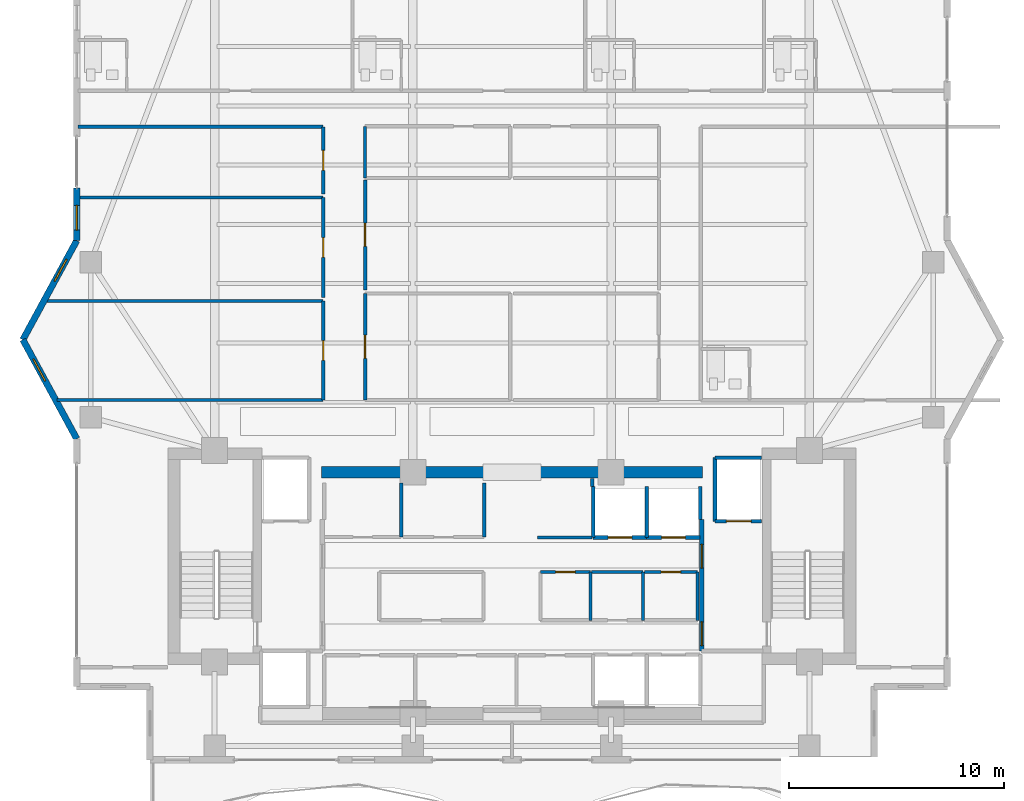
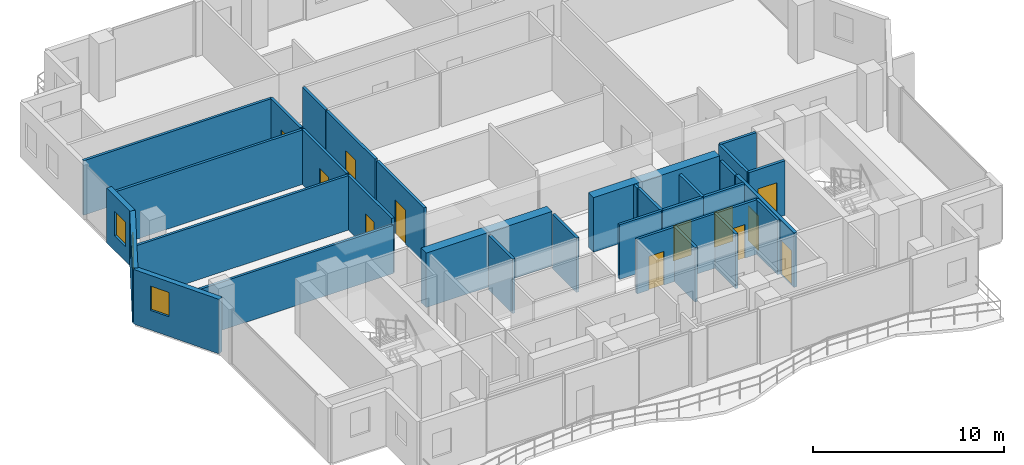
# One storey, part 18 of 24: 34 walls, 12 doors, 3 windows, 15 openings.
"""IFC4 building model written with IfcOpenShell, lengths in metres."""

import ifcopenshell
import ifcopenshell.guid

model = None  # the IFC model being written
_history = None  # IfcOwnerHistory: only IFC2X3 demands one
_inside = {}  # id of a spatial element -> (the spatial element, [elements in it])
_under = {}  # id of a project, library or spatial element -> (it, [spatial elements below it])
_declared = {}  # id of a project -> (the project, [libraries it declares])
_typed = {}  # id of a type object -> (the type object, [elements of that type])
_made_of = {}  # id of a material, layer set ... -> (it, [elements and type objects made of it])


def new_model(schema):
    """Start an empty IFC model of exactly this schema.

    Asked for "IFC4X3", IfcOpenShell would pick the latest addendum, in which some entities
    have other attributes; the version numbers below select the first issue.
    IFC2X3 requires an IfcOwnerHistory on every rooted entity: one is made here for all.
    """
    global model, _history
    if schema == "IFC4X3":
        model = ifcopenshell.file(schema_version=(4, 3, 0, 0))
    else:
        model = ifcopenshell.file(schema=schema)
    _inside.clear()
    _under.clear()
    _declared.clear()
    _typed.clear()
    _made_of.clear()
    _history = None
    if model.schema == "IFC2X3":
        org = make("IfcOrganization", Name="unknown")
        user = make(
            "IfcPersonAndOrganization",
            ThePerson=make("IfcPerson", FamilyName="unknown"),
            TheOrganization=org,
        )
        app = make(
            "IfcApplication",
            ApplicationDeveloper=org,
            Version="unknown",
            ApplicationFullName="unknown",
            ApplicationIdentifier="unknown",
        )
        _history = make(
            "IfcOwnerHistory",
            OwningUser=user,
            OwningApplication=app,
            ChangeAction="ADDED",
            CreationDate=0,
        )
    return model


def make(cls, **values):
    """One entity of the class cls with the attributes given. An attribute that is None is left unset."""
    return model.create_entity(
        cls, **{name: value for name, value in values.items() if value is not None}
    )


def rooted(cls, **values):
    """An entity with a GlobalId (a new one), such as an element, a storey or a relation."""
    return make(cls, GlobalId=ifcopenshell.guid.new(), OwnerHistory=_history, **values)


def si_unit(unit_type, name, prefix=None):
    """IfcSIUnit, for example si_unit("LENGTHUNIT", "METRE", prefix="MILLI")."""
    return make("IfcSIUnit", UnitType=unit_type, Prefix=prefix, Name=name)


def assignment(units):
    """IfcUnitAssignment: the units of a project."""
    return None if units is None else make("IfcUnitAssignment", Units=units)


def point(xyz):
    """IfcCartesianPoint."""
    return None if xyz is None else make("IfcCartesianPoint", Coordinates=xyz)


def direction(xyz):
    """IfcDirection."""
    return None if xyz is None else make("IfcDirection", DirectionRatios=xyz)


def frame(location, z_axis=None, x_axis=None):
    """IfcAxis2Placement3D, a coordinate frame: its origin and axes. An axis left out is left unset."""
    return make(
        "IfcAxis2Placement3D",
        Location=point(location),
        Axis=direction(z_axis),
        RefDirection=direction(x_axis),
    )


def frame_2d(location, x_axis=None):
    """IfcAxis2Placement2D, a coordinate frame in the plane: its origin and x axis."""
    return make(
        "IfcAxis2Placement2D", Location=point(location), RefDirection=direction(x_axis)
    )


def origin():
    """The frame at (0, 0, 0) with its axes left unset."""
    return frame((0.0, 0.0, 0.0))


def place(relative_to, where):
    """IfcLocalPlacement: puts the frame where relative to a parent placement (None: the world)."""
    return make(
        "IfcLocalPlacement", PlacementRelTo=relative_to, RelativePlacement=where
    )


def context(
    kind, dimensions, precision=None, world=None, true_north=None, identifier=None
):
    """IfcGeometricRepresentationContext, for example the 3D "Model" context."""
    return make(
        "IfcGeometricRepresentationContext",
        ContextIdentifier=identifier,
        ContextType=kind,
        CoordinateSpaceDimension=dimensions,
        Precision=precision,
        WorldCoordinateSystem=world,
        TrueNorth=true_north,
    )


def subcontext(parent, identifier, kind, view, scale=None):
    """IfcGeometricRepresentationSubContext, for example "Body" below "Model"."""
    return make(
        "IfcGeometricRepresentationSubContext",
        ContextIdentifier=identifier,
        ContextType=kind,
        ParentContext=parent,
        TargetScale=scale,
        TargetView=view,
    )


def project(units=None, contexts=None):
    """IfcProject with its units and contexts."""
    return rooted(
        "IfcProject",
        Name="project",
        RepresentationContexts=contexts,
        UnitsInContext=assignment(units),
    )


def spatial(cls, under=None, at=None, **own):
    """A site, building, storey or space (cls), placed at a placement, below another one or the project."""
    s = rooted(cls, ObjectPlacement=at, **own)
    if under is not None:
        _under.setdefault(under.id(), (under, []))[1].append(s)
    return s


def profile(cls, at=None, kind="AREA", **sizes):
    """A parametric profile (cls). Its sizes go by their IFC names, for example OverallWidth=200.0."""
    return make(cls, ProfileType=kind, Position=at, **sizes)


def rectangle(**sizes):
    """IfcRectangleProfileDef."""
    return profile("IfcRectangleProfileDef", **sizes)


def extrude(swept, where, along, depth):
    """IfcExtrudedAreaSolid: the profile swept, set in the frame where, extruded along a direction by depth."""
    return make(
        "IfcExtrudedAreaSolid",
        SweptArea=swept,
        Position=where,
        ExtrudedDirection=direction(along),
        Depth=depth,
    )


def shape(context_of_items, identifier, shape_type, items):
    """IfcShapeRepresentation: the items that make up one representation, for example the "Body"."""
    return make(
        "IfcShapeRepresentation",
        ContextOfItems=context_of_items,
        RepresentationIdentifier=identifier,
        RepresentationType=shape_type,
        Items=items,
    )


def material(Name=None, Category=None):
    """IfcMaterial."""
    return make("IfcMaterial", Name=Name, Category=Category)


def layer(
    of_material, thickness, ventilated=None, Name=None, Category=None, Priority=None
):
    """IfcMaterialLayer: one layer of a wall or slab, of a material (None: an air gap)."""
    return make(
        "IfcMaterialLayer",
        Material=of_material,
        LayerThickness=thickness,
        IsVentilated=ventilated,
        Name=Name,
        Category=Category,
        Priority=Priority,
    )


def layer_set(layers, Name=None):
    """IfcMaterialLayerSet."""
    return make("IfcMaterialLayerSet", MaterialLayers=layers, LayerSetName=Name)


def made_of(thing, what):
    """Note that an element or type object is made of a material, layer set ...; save() writes the relation."""
    if what is not None:
        _made_of.setdefault(what.id(), (what, []))[1].append(thing)
    return thing


def type_object(cls, material=None, **own):
    """A type object (cls), such as IfcWallType, which elements share."""
    return made_of(rooted(cls, **own), material)


def element(
    cls,
    number,
    at=None,
    inside=None,
    cuts=None,
    type_object=None,
    material=None,
    context=None,
    identifier="Body",
    shape_type=None,
    held_by="IfcProductDefinitionShape",
    body=None,
    shapes=None,
    **own,
):
    """One element of the class cls, such as IfcWall. Its Tag is "e" and its number.

    at: its placement. inside: the storey or other place that contains it. cuts: it is an
    opening in that element (IfcRelVoidsElement). A single representation is given by context,
    identifier, shape_type and body (its items); several are given by shapes. held_by: the class
    of the entity that holds the representations. save() writes the other relations.
    """
    e = rooted(cls, Tag="e%d" % number, ObjectPlacement=at, **own)
    if body is not None:
        shapes = [shape(context, identifier, shape_type, body)]
    if shapes is not None:
        e.Representation = make(held_by, Representations=shapes)
    if inside is not None:
        _inside.setdefault(inside.id(), (inside, []))[1].append(e)
    if cuts is not None:
        rooted(
            "IfcRelVoidsElement", RelatingBuildingElement=cuts, RelatedOpeningElement=e
        )
    if type_object is not None:
        _typed.setdefault(type_object.id(), (type_object, []))[1].append(e)
    return made_of(e, material)


def fill(opening, filler):
    """IfcRelFillsElement: the door or window that sits in an opening."""
    return rooted(
        "IfcRelFillsElement",
        RelatingOpeningElement=opening,
        RelatedBuildingElement=filler,
    )


def aggregate(whole, parts):
    """IfcRelAggregates: a whole, such as a stair, and the parts it consists of."""
    return rooted("IfcRelAggregates", RelatingObject=whole, RelatedObjects=parts)


def save(model, path):
    """Write the relations noted so far, then the file.

    IfcRelAggregates (storeys below a building ...), IfcRelContainedInSpatialStructure (elements
    in a storey), IfcRelDefinesByType, IfcRelAssociatesMaterial and IfcRelDeclares: one each for
    every whole, place, type object, material and project.
    """
    for whole, parts in _under.values():
        aggregate(whole, parts)
    for where, things in _inside.values():
        rooted(
            "IfcRelContainedInSpatialStructure",
            RelatedElements=things,
            RelatingStructure=where,
        )
    for kind, things in _typed.values():
        rooted("IfcRelDefinesByType", RelatedObjects=things, RelatingType=kind)
    for what, things in _made_of.values():
        rooted("IfcRelAssociatesMaterial", RelatedObjects=things, RelatingMaterial=what)
    for by, libraries in _declared.values():
        rooted("IfcRelDeclares", RelatingContext=by, RelatedDefinitions=libraries)
    model.write(path)


model = new_model("IFC4")

# Units and contexts
model_context = context("Model", 3, precision=1e-05, world=origin(), true_north=direction((0.0, 1.0)))
body_context = subcontext(model_context, "Body", "Model", "MODEL_VIEW")
ifc_project = project(units=[si_unit("LENGTHUNIT", "METRE"), si_unit("AREAUNIT", "SQUARE_METRE"), si_unit("VOLUMEUNIT", "CUBIC_METRE"), si_unit("PLANEANGLEUNIT", "RADIAN"), si_unit("MASSUNIT", "GRAM", prefix="KILO")], contexts=[model_context])

# Site, building, storey
site_placement = place(None, origin())
site = spatial("IfcSite", under=ifc_project, at=site_placement, CompositionType="ELEMENT")
building_placement = place(site_placement, origin())
building = spatial("IfcBuilding", under=site, at=building_placement, Name="Zuhayl Quay Hotel", CompositionType="ELEMENT")
storey_placement = place(building_placement, frame((0.0, 0.0, 269.25)))
storey = spatial("IfcBuildingStorey", under=building, at=storey_placement, Name="L68", CompositionType="ELEMENT", Elevation=269.25)

# Walls
ifc_material_1 = material(Name="Concrete C50/60", Category="concrete")
ifc_layer_1 = layer(ifc_material_1, 0.550048828125, Name="Concrete C50/60", Category="concrete")
ifc_layer_set_1 = layer_set([ifc_layer_1], Name="Concrete C50/60")
wall_type_1 = type_object("IfcWallType", Name="WL_CORE_550", PredefinedType="SHEAR", material=ifc_layer_set_1)
for number, where, z_axis, x_axis, name in (
    (1, (-8.85009765625, 13.35009765625, 0.0), (0.0, 0.0, 1.0), (1.0, 0.0, 0.0), "L68 Core Shear Wall CW_NC_W"),
    (2, (1.25, 13.35009765625, 0.0), (0.0, 0.0, 1.0), (1.0, 0.0, 0.0), "L68 Core Shear Wall CW_NC_E"),
):
    element("IfcWall", number, at=place(storey_placement, frame(where, z_axis=z_axis, x_axis=x_axis)), inside=storey, type_object=wall_type_1, Name=name, PredefinedType="SHEAR", context=body_context, shape_type="SweptSolid", body=[
        extrude(rectangle(XDim=7.60009765625, YDim=0.550048828125, at=frame_2d((3.800048828125, 0.0))), origin(), (0.0, 0.0, 1.0), 3.47998046875),
    ])

# Wall, opening, window
ifc_material_2 = material(Name="Precast concrete C45/55", Category="concrete")
ifc_layer_2 = layer(ifc_material_2, 0.300048828125, Name="Precast concrete C45/55", Category="concrete")
ifc_layer_set_2 = layer_set([ifc_layer_2], Name="Precast concrete C45/55")
wall_type_2 = type_object("IfcWallType", Name="WL_EXT_300", PredefinedType="STANDARD", material=ifc_layer_set_2)
wall_1_placement = place(storey_placement, frame((-20.199951171875, 14.89990234375, 0.0), z_axis=(0.0, 0.0, 1.0), x_axis=(-0.477505494629, 0.878628762675, 0.0)))
wall_1 = element("IfcWall", 3, at=wall_1_placement, inside=storey, type_object=wall_type_2, Name="L68 Exterior Precast Wall ENV_L68_EW03", PredefinedType="STANDARD", context=body_context, shape_type="SweptSolid", body=[
    extrude(rectangle(XDim=5.235595703125, YDim=0.300048828125, at=frame_2d((2.61767578125, 0.0))), origin(), (0.0, 0.0, 1.0), 3.47998046875),
])
opening_1_placement = place(wall_1_placement, frame((3.062744140625, 0.0, 1.25)))
opening_1 = element("IfcOpeningElement", 4, at=opening_1_placement, cuts=wall_1, Name="Opening W01N", PredefinedType="OPENING", context=body_context, shape_type="SweptSolid", body=[
    extrude(rectangle(XDim=1.14990234375, YDim=1.550048828125, at=frame_2d((0.574951171875, 0.77490234375))), frame((0.0, 0.159912109375, 0.0), z_axis=(0.0, -1.0, 0.0), x_axis=(1.0, 0.0, 0.0)), (0.0, 0.0, 1.0), 0.320068359375),
])
ifc_material_3 = material(Name="Dark Ceramic-Fritted Solar Glass", Category="glass")
window_type = type_object("IfcWindowType", Name="WN_NOTCH_1350", PartitioningType="SINGLE_PANEL", PredefinedType="WINDOW", material=ifc_material_3)
window_1_placement = place(opening_1_placement, origin())
window_1 = element("IfcWindow", 5, at=window_1_placement, inside=storey, type_object=window_type, Name="L68 Corner Notch Window 3", OverallHeight=1.550048828125, OverallWidth=1.14990234375, PartitioningType="SINGLE_PANEL", PredefinedType="WINDOW", context=body_context, shape_type="SweptSolid", body=[
    extrude(rectangle(XDim=1.14990234375, YDim=1.550048828125, at=frame_2d((0.574951171875, 0.77490234375))), frame((0.0, 0.030029296875, 0.0), z_axis=(0.0, -1.0, 0.0), x_axis=(1.0, 0.0, 0.0)), (0.0, 0.0, 1.0), 0.06005859375),
])
fill(opening_1, window_1)

wall_2_placement = place(storey_placement, frame((-22.699951171875, 19.5, 0.0), z_axis=(0.0, 0.0, 1.0), x_axis=(0.477505494629, 0.878628762675, 0.0)))
wall_2 = element("IfcWall", 6, at=wall_2_placement, inside=storey, type_object=wall_type_2, Name="L68 Exterior Precast Wall ENV_L68_EW04", PredefinedType="STANDARD", context=body_context, shape_type="SweptSolid", body=[
    extrude(rectangle(XDim=5.235595703125, YDim=0.300048828125, at=frame_2d((2.61767578125, 0.0))), origin(), (0.0, 0.0, 1.0), 3.47998046875),
])
opening_2_placement = place(wall_2_placement, frame((3.09130859375, 0.0, 1.25)))
opening_2 = element("IfcOpeningElement", 7, at=opening_2_placement, cuts=wall_2, Name="Opening W01N", PredefinedType="OPENING", context=body_context, shape_type="SweptSolid", body=[
    extrude(rectangle(XDim=1.14990234375, YDim=1.550048828125, at=frame_2d((0.574951171875, 0.77490234375))), frame((0.0, 0.159912109375, 0.0), z_axis=(0.0, -1.0, 0.0), x_axis=(1.0, 0.0, 0.0)), (0.0, 0.0, 1.0), 0.320068359375),
])
window_2_placement = place(opening_2_placement, origin())
window_2 = element("IfcWindow", 8, at=window_2_placement, inside=storey, type_object=window_type, Name="L68 Corner Notch Window 4", OverallHeight=1.550048828125, OverallWidth=1.14990234375, PartitioningType="SINGLE_PANEL", PredefinedType="WINDOW", context=body_context, shape_type="SweptSolid", body=[
    extrude(rectangle(XDim=1.14990234375, YDim=1.550048828125, at=frame_2d((0.574951171875, 0.77490234375))), frame((0.0, 0.030029296875, 0.0), z_axis=(0.0, -1.0, 0.0), x_axis=(1.0, 0.0, 0.0)), (0.0, 0.0, 1.0), 0.06005859375),
])
fill(opening_2, window_2)

wall_3_placement = place(storey_placement, frame((-20.199951171875, 24.10009765625, 0.0), z_axis=(0.0, 0.0, 1.0), x_axis=(0.0, 1.0, 0.0)))
wall_3 = element("IfcWall", 9, at=wall_3_placement, inside=storey, type_object=wall_type_2, Name="L68 Exterior Precast Wall ENV_L68_E05_EW1", PredefinedType="STANDARD", context=body_context, shape_type="SweptSolid", body=[
    extrude(rectangle(XDim=2.449951171875, YDim=0.300048828125, at=frame_2d((1.22509765625, 0.0))), origin(), (0.0, 0.0, 1.0), 3.47998046875),
])
opening_3_placement = place(wall_3_placement, frame((0.485107421875, 0.0, 0.949951171875)))
opening_3 = element("IfcOpeningElement", 10, at=opening_3_placement, cuts=wall_3, Name="Opening W01N", PredefinedType="OPENING", context=body_context, shape_type="SweptSolid", body=[
    extrude(rectangle(XDim=1.14990234375, YDim=1.550048828125, at=frame_2d((0.574951171875, 0.77490234375))), frame((0.0, 0.159912109375, 0.0), z_axis=(0.0, -1.0, 0.0), x_axis=(1.0, 0.0, 0.0)), (0.0, 0.0, 1.0), 0.320068359375),
])
window_3_placement = place(opening_3_placement, origin())
window_3 = element("IfcWindow", 11, at=window_3_placement, inside=storey, type_object=window_type, Name="L68 Operable Facade Window 1-1", OverallHeight=1.550048828125, OverallWidth=1.14990234375, PartitioningType="SINGLE_PANEL", PredefinedType="WINDOW", context=body_context, shape_type="SweptSolid", body=[
    extrude(rectangle(XDim=1.14990234375, YDim=1.550048828125, at=frame_2d((0.574951171875, 0.77490234375))), frame((0.0, 0.030029296875, 0.0), z_axis=(0.0, -1.0, 0.0), x_axis=(1.0, 0.0, 0.0)), (0.0, 0.0, 1.0), 0.06005859375),
])
fill(opening_3, window_3)

# Wall, opening, door
ifc_material_4 = material(Name="Acoustic Gypsum Partition STC-58")
ifc_layer_3 = layer(ifc_material_4, 0.14990234375, Name="Acoustic Gypsum Partition STC-58")
ifc_layer_set_3 = layer_set([ifc_layer_3], Name="Acoustic Gypsum Partition STC-58")
wall_type_3 = type_object("IfcWallType", Name="WL_PART_150", PredefinedType="PARTITIONING", material=ifc_layer_set_3)
wall_4_placement = place(storey_placement, frame((1.320068359375, 8.719970703125, 0.0), z_axis=(0.0, 0.0, 1.0), x_axis=(1.0, 0.0, 0.0)))
wall_4 = element("IfcWall", 12, at=wall_4_placement, inside=storey, type_object=wall_type_3, Name="L68 Partition IW_L68_CORE_E1_N", PredefinedType="PARTITIONING", context=body_context, shape_type="SweptSolid", body=[
    extrude(rectangle(XDim=2.31982421875, YDim=0.14990234375, at=frame_2d((1.159912109375, 0.0))), origin(), (0.0, 0.0, 1.0), 3.47998046875),
])
opening_4_placement = place(wall_4_placement, frame((0.7099609375, 0.0, 0.0)))
opening_4 = element("IfcOpeningElement", 13, at=opening_4_placement, cuts=wall_4, Name="Opening D06", PredefinedType="OPENING", context=body_context, shape_type="SweptSolid", body=[
    extrude(rectangle(XDim=0.89990234375, YDim=2.14990234375, at=frame_2d((0.449951171875, 1.074951171875))), frame((0.0, 0.0849609375, 0.0), z_axis=(0.0, -1.0, 0.0), x_axis=(1.0, 0.0, 0.0)), (0.0, 0.0, 1.0), 0.169921875),
])
ifc_material_5 = material(Name="Steel ASTM A992 Grade 50", Category="steel")
door_type_1 = type_object("IfcDoorType", Name="DR_INT_900", OperationType="NOTDEFINED", PredefinedType="DOOR", material=ifc_material_5)
door_1_placement = place(opening_4_placement, origin())
door_1 = element("IfcDoor", 14, at=door_1_placement, inside=storey, type_object=door_type_1, Name="L68 Floor Electrical Closet Door", OperationType="SINGLE_SWING_LEFT", OverallHeight=2.14990234375, OverallWidth=0.89990234375, PredefinedType="DOOR", context=body_context, shape_type="SweptSolid", body=[
    extrude(rectangle(XDim=0.89990234375, YDim=2.14990234375, at=frame_2d((0.449951171875, 1.074951171875))), frame((0.0, 0.02490234375, 0.0), z_axis=(0.0, -1.0, 0.0), x_axis=(1.0, 0.0, 0.0)), (0.0, 0.0, 1.0), 0.050048828125),
])
fill(opening_4, door_1)

wall_5_placement = place(storey_placement, frame((6.139892578125, 8.719970703125, 0.0), z_axis=(0.0, 0.0, 1.0), x_axis=(1.0, 0.0, 0.0)))
wall_5 = element("IfcWall", 15, at=wall_5_placement, inside=storey, type_object=wall_type_3, Name="L68 Partition IW_L68_CORE_E3_N", PredefinedType="PARTITIONING", context=body_context, shape_type="SweptSolid", body=[
    extrude(rectangle(XDim=2.47021484375, YDim=0.14990234375, at=frame_2d((1.235107421875, 0.0))), origin(), (0.0, 0.0, 1.0), 3.47998046875),
])
opening_5_placement = place(wall_5_placement, frame((0.784912109375, 0.0, 0.0)))
opening_5 = element("IfcOpeningElement", 16, at=opening_5_placement, cuts=wall_5, Name="Opening D06", PredefinedType="OPENING", context=body_context, shape_type="SweptSolid", body=[
    extrude(rectangle(XDim=0.89990234375, YDim=2.14990234375, at=frame_2d((0.449951171875, 1.074951171875))), frame((0.0, 0.0849609375, 0.0), z_axis=(0.0, -1.0, 0.0), x_axis=(1.0, 0.0, 0.0)), (0.0, 0.0, 1.0), 0.169921875),
])
door_2_placement = place(opening_5_placement, origin())
door_2 = element("IfcDoor", 17, at=door_2_placement, inside=storey, type_object=door_type_1, Name="L68 Janitor and Cleaners Store Door", OperationType="SINGLE_SWING_LEFT", OverallHeight=2.14990234375, OverallWidth=0.89990234375, PredefinedType="DOOR", context=body_context, shape_type="SweptSolid", body=[
    extrude(rectangle(XDim=0.89990234375, YDim=2.14990234375, at=frame_2d((0.449951171875, 1.074951171875))), frame((0.0, 0.02490234375, 0.0), z_axis=(0.0, -1.0, 0.0), x_axis=(1.0, 0.0, 0.0)), (0.0, 0.0, 1.0), 0.050048828125),
])
fill(opening_5, door_2)

# Walls
for number, where, z_axis, x_axis, name in (
    (18, (-5.139892578125, 10.340087890625, 0.0), (0.0, 0.0, 1.0), (0.0, 1.0, 0.0), "L68 Partition IW_L68_FMP_N1_E"),
    (19, (-1.2900390625, 10.340087890625, 0.0), (0.0, 0.0, 1.0), (0.0, 1.0, 0.0), "L68 Partition IW_L68_FMP_N2_E"),
):
    element("IfcWall", number, at=place(storey_placement, frame(where, z_axis=z_axis, x_axis=x_axis)), inside=storey, type_object=wall_type_3, Name=name, PredefinedType="PARTITIONING", context=body_context, shape_type="SweptSolid", body=[
        extrude(rectangle(XDim=2.52001953125, YDim=0.14990234375, at=frame_2d((1.260009765625, 0.0))), origin(), (0.0, 0.0, 1.0), 3.47998046875),
    ])
wall_6_placement = place(storey_placement, frame((3.639892578125, 6.47998046875, 0.0), z_axis=(0.0, 0.0, 1.0), x_axis=(0.0, 1.0, 0.0)))
element("IfcWall", 20, at=wall_6_placement, inside=storey, type_object=wall_type_3, Name="L68 Partition IW_L68_CORE_E1_E", PredefinedType="PARTITIONING", context=body_context, shape_type="SweptSolid", body=[
    extrude(rectangle(XDim=2.239990234375, YDim=0.14990234375, at=frame_2d((1.1201171875, 0.0))), origin(), (0.0, 0.0, 1.0), 3.47998046875),
])
wall_7_placement = place(storey_placement, frame((3.699951171875, 8.719970703125, 0.0), z_axis=(0.0, 0.0, 1.0), x_axis=(1.0, 0.0, 0.0)))
element("IfcWall", 21, at=wall_7_placement, inside=storey, type_object=wall_type_3, Name="L68 Partition IW_L68_CORE_E2_N", PredefinedType="PARTITIONING", context=body_context, shape_type="SweptSolid", body=[
    extrude(rectangle(XDim=2.380126953125, YDim=0.14990234375, at=frame_2d((1.18994140625, 0.0))), origin(), (0.0, 0.0, 1.0), 3.47998046875),
])
for number, where, z_axis, x_axis, name in (
    (22, (6.080078125, 6.47998046875, 0.0), (0.0, 0.0, 1.0), (0.0, 1.0, 0.0), "L68 Partition IW_L68_CORE_E2_E"),
    (23, (8.610107421875, 6.47998046875, 0.0), (0.0, 0.0, 1.0), (0.0, 1.0, 0.0), "L68 Partition IW_L68_CORE_E3_E"),
):
    element("IfcWall", number, at=place(storey_placement, frame(where, z_axis=z_axis, x_axis=x_axis)), inside=storey, type_object=wall_type_3, Name=name, PredefinedType="PARTITIONING", context=body_context, shape_type="SweptSolid", body=[
        extrude(rectangle(XDim=2.239990234375, YDim=0.14990234375, at=frame_2d((1.1201171875, 0.0))), origin(), (0.0, 0.0, 1.0), 3.47998046875),
    ])
wall_8_placement = place(storey_placement, frame((1.179931640625, 10.320068359375, 0.0), z_axis=(0.0, 0.0, 1.0), x_axis=(1.0, 0.0, 0.0)))
element("IfcWall", 24, at=wall_8_placement, inside=storey, type_object=wall_type_3, Name="L68 Partition IW_L68_VEST_MP4_S", PredefinedType="PARTITIONING", context=body_context, shape_type="SweptSolid", body=[
    extrude(rectangle(XDim=2.5400390625, YDim=0.14990234375, at=frame_2d((1.27001953125, 0.0))), origin(), (0.0, 0.0, 1.0), 3.47998046875),
])
wall_9_placement = place(storey_placement, frame((3.719970703125, 12.679931640625, 0.0), z_axis=(0.0, 0.0, 1.0), x_axis=(0.0, 1.0, 0.0)))
element("IfcWall", 25, at=wall_9_placement, inside=storey, type_object=wall_type_3, Name="L68 Partition IW_L68_VEST_MP4_E", PredefinedType="PARTITIONING", context=body_context, shape_type="SweptSolid", body=[
    extrude(rectangle(XDim=0.3701171875, YDim=0.14990234375, at=frame_2d((0.18505859375, 0.0))), origin(), (0.0, 0.0, 1.0), 3.47998046875),
])
wall_10_placement = place(storey_placement, frame((-6.820068359375, 27.0, 0.0), z_axis=(0.0, 0.0, 1.0), x_axis=(0.0, 1.0, 0.0)))
element("IfcWall", 26, at=wall_10_placement, inside=storey, type_object=wall_type_3, Name="L68 Partition IW_L68_HK_MAIN_W", PredefinedType="PARTITIONING", context=body_context, shape_type="SweptSolid", body=[
    extrude(rectangle(XDim=2.39990234375, YDim=0.14990234375, at=frame_2d((1.199951171875, 0.0))), origin(), (0.0, 0.0, 1.0), 3.47998046875),
])
wall_11_placement = place(storey_placement, frame((-21.118408203125, 16.699951171875, 0.0), z_axis=(0.0, 0.0, 1.0), x_axis=(1.0, 0.0, 0.0)))
element("IfcWall", 27, at=wall_11_placement, inside=storey, type_object=wall_type_3, Name="L68 Partition IW_L68_Z4_W1_S", PredefinedType="PARTITIONING", context=body_context, shape_type="SweptSolid", body=[
    extrude(rectangle(XDim=12.3583984375, YDim=0.14990234375, at=frame_2d((6.17919921875, 0.0))), origin(), (0.0, 0.0, 1.0), 3.075927734375),
])
wall_12_placement = place(storey_placement, frame((-21.66162109375, 21.300048828125, 0.0), z_axis=(0.0, 0.0, 1.0), x_axis=(1.0, 0.0, 0.0)))
element("IfcWall", 28, at=wall_12_placement, inside=storey, type_object=wall_type_3, Name="L68 Partition IW_L68_Z4_W1_N", PredefinedType="PARTITIONING", context=body_context, shape_type="SweptSolid", body=[
    extrude(rectangle(XDim=12.901611328125, YDim=0.14990234375, at=frame_2d((6.45068359375, 0.0))), origin(), (0.0, 0.0, 1.0), 3.47998046875),
])
for number, where, z_axis, x_axis, name in (
    (29, (-20.139892578125, 26.10009765625, 0.0), (0.0, 0.0, 1.0), (1.0, 0.0, 0.0), "L68 Partition IW_L68_Z4_W2_N"),
    (30, (-20.139892578125, 29.3798828125, 0.0), (0.0, 0.0, 1.0), (1.0, 0.0, 0.0), "L68 Partition IW_L68_Z4_W3_N"),
):
    element("IfcWall", number, at=place(storey_placement, frame(where, z_axis=z_axis, x_axis=x_axis)), inside=storey, type_object=wall_type_3, Name=name, PredefinedType="PARTITIONING", context=body_context, shape_type="SweptSolid", body=[
        extrude(rectangle(XDim=11.3798828125, YDim=0.14990234375, at=frame_2d((5.68994140625, 0.0))), origin(), (0.0, 0.0, 1.0), 3.47998046875),
    ])

# Wall, opening, door
ifc_layer_4 = layer(ifc_material_4, 0.159912109375, Name="Acoustic Gypsum Partition STC-58")
ifc_layer_set_4 = layer_set([ifc_layer_4], Name="Acoustic Gypsum Partition STC-58")
wall_type_4 = type_object("IfcWallType", Name="WL_PART_CORR_160", PredefinedType="PARTITIONING", material=ifc_layer_set_4)
wall_13_placement = place(storey_placement, frame((-6.820068359375, 16.699951171875, 0.0), z_axis=(0.0, 0.0, 1.0), x_axis=(0.0, 1.0, 0.0)))
wall_13 = element("IfcWall", 31, at=wall_13_placement, inside=storey, type_object=wall_type_4, Name="L68 Partition IW_L68_Z4_CT1A_W", PredefinedType="PARTITIONING", context=body_context, shape_type="SweptSolid", body=[
    extrude(rectangle(XDim=4.949951171875, YDim=0.159912109375, at=frame_2d((2.47509765625, 0.0))), origin(), (0.0, 0.0, 1.0), 3.47998046875),
])
opening_6_placement = place(wall_13_placement, frame((1.93505859375, 0.0, 0.0)))
opening_6 = element("IfcOpeningElement", 32, at=opening_6_placement, cuts=wall_13, Name="Opening D05A", PredefinedType="OPENING", context=body_context, shape_type="SweptSolid", body=[
    extrude(rectangle(XDim=1.080078125, YDim=2.179931640625, at=frame_2d((0.5400390625, 1.08984375))), frame((0.0, 0.08984375, 0.0), z_axis=(0.0, -1.0, 0.0), x_axis=(1.0, 0.0, 0.0)), (0.0, 0.0, 1.0), 0.179931640625),
])
ifc_material_6 = material(Name="Solid Walnut Acoustic Fire Door")
door_type_2 = type_object("IfcDoorType", Name="DR_INT_1100", OperationType="NOTDEFINED", PredefinedType="DOOR", material=ifc_material_6)
door_3_placement = place(opening_6_placement, origin())
door_3 = element("IfcDoor", 33, at=door_3_placement, inside=storey, type_object=door_type_2, Name="L68 Sky Reading Study Door", OperationType="SINGLE_SWING_RIGHT", OverallHeight=2.179931640625, OverallWidth=1.080078125, PredefinedType="DOOR", context=body_context, shape_type="SweptSolid", body=[
    extrude(rectangle(XDim=1.080078125, YDim=2.179931640625, at=frame_2d((0.5400390625, 1.08984375))), frame((0.0, 0.02490234375, 0.0), z_axis=(0.0, -1.0, 0.0), x_axis=(1.0, 0.0, 0.0)), (0.0, 0.0, 1.0), 0.050048828125),
])
fill(opening_6, door_3)

wall_14_placement = place(storey_placement, frame((-6.820068359375, 21.81005859375, 0.0), z_axis=(0.0, 0.0, 1.0), x_axis=(0.0, 1.0, 0.0)))
wall_14 = element("IfcWall", 34, at=wall_14_placement, inside=storey, type_object=wall_type_4, Name="L68 Partition IW_L68_Z4_CT2_W", PredefinedType="PARTITIONING", context=body_context, shape_type="SweptSolid", body=[
    extrude(rectangle(XDim=5.10986328125, YDim=0.159912109375, at=frame_2d((2.554931640625, 0.0))), origin(), (0.0, 0.0, 1.0), 3.47998046875),
])
opening_7_placement = place(wall_14_placement, frame((2.014892578125, 0.0, 0.0)))
opening_7 = element("IfcOpeningElement", 35, at=opening_7_placement, cuts=wall_14, Name="Opening D05A", PredefinedType="OPENING", context=body_context, shape_type="SweptSolid", body=[
    extrude(rectangle(XDim=1.080078125, YDim=2.179931640625, at=frame_2d((0.5400390625, 1.08984375))), frame((0.0, 0.08984375, 0.0), z_axis=(0.0, -1.0, 0.0), x_axis=(1.0, 0.0, 0.0)), (0.0, 0.0, 1.0), 0.179931640625),
])
door_4_placement = place(opening_7_placement, origin())
door_4 = element("IfcDoor", 36, at=door_4_placement, inside=storey, type_object=door_type_2, Name="L68 Royal Screening Salon Door", OperationType="SINGLE_SWING_RIGHT", OverallHeight=2.179931640625, OverallWidth=1.080078125, PredefinedType="DOOR", context=body_context, shape_type="SweptSolid", body=[
    extrude(rectangle(XDim=1.080078125, YDim=2.179931640625, at=frame_2d((0.5400390625, 1.08984375))), frame((0.0, 0.02490234375, 0.0), z_axis=(0.0, -1.0, 0.0), x_axis=(1.0, 0.0, 0.0)), (0.0, 0.0, 1.0), 0.050048828125),
])
fill(opening_7, door_4)

wall_15_placement = place(storey_placement, frame((-8.760009765625, 16.699951171875, 0.0), z_axis=(0.0, 0.0, 1.0), x_axis=(0.0, 1.0, 0.0)))
wall_15 = element("IfcWall", 37, at=wall_15_placement, inside=storey, type_object=wall_type_4, Name="L68 Partition IW_L68_Z4_W1_E", PredefinedType="PARTITIONING", context=body_context, shape_type="SweptSolid", body=[
    extrude(rectangle(XDim=4.60009765625, YDim=0.159912109375, at=frame_2d((2.300048828125, 0.0))), origin(), (0.0, 0.0, 1.0), 3.47998046875),
])
opening_8_placement = place(wall_15_placement, frame((1.840087890625, 0.0, 0.0)))
opening_8 = element("IfcOpeningElement", 38, at=opening_8_placement, cuts=wall_15, Name="Opening D05", PredefinedType="OPENING", context=body_context, shape_type="SweptSolid", body=[
    extrude(rectangle(XDim=0.919921875, YDim=2.1201171875, at=frame_2d((0.4599609375, 1.06005859375))), frame((0.0, 0.08984375, 0.0), z_axis=(0.0, -1.0, 0.0), x_axis=(1.0, 0.0, 0.0)), (0.0, 0.0, 1.0), 0.179931640625),
])
door_type_3 = type_object("IfcDoorType", Name="DR_INT_950", OperationType="NOTDEFINED", PredefinedType="DOOR", material=ifc_material_6)
door_5_placement = place(opening_8_placement, origin())
door_5 = element("IfcDoor", 39, at=door_5_placement, inside=storey, type_object=door_type_3, Name="L68 West Gallery Salon Door", OperationType="SINGLE_SWING_LEFT", OverallHeight=2.1201171875, OverallWidth=0.919921875, PredefinedType="DOOR", context=body_context, shape_type="SweptSolid", body=[
    extrude(rectangle(XDim=0.919921875, YDim=2.1201171875, at=frame_2d((0.4599609375, 1.06005859375))), frame((0.0, 0.02490234375, 0.0), z_axis=(0.0, -1.0, 0.0), x_axis=(1.0, 0.0, 0.0)), (0.0, 0.0, 1.0), 0.050048828125),
])
fill(opening_8, door_5)

wall_16_placement = place(storey_placement, frame((-8.760009765625, 21.4599609375, 0.0), z_axis=(0.0, 0.0, 1.0), x_axis=(0.0, 1.0, 0.0)))
wall_16 = element("IfcWall", 40, at=wall_16_placement, inside=storey, type_object=wall_type_4, Name="L68 Partition IW_L68_Z4_W2_E", PredefinedType="PARTITIONING", context=body_context, shape_type="SweptSolid", body=[
    extrude(rectangle(XDim=4.64013671875, YDim=0.159912109375, at=frame_2d((2.320068359375, 0.0))), origin(), (0.0, 0.0, 1.0), 3.47998046875),
])
opening_9_placement = place(wall_16_placement, frame((1.860107421875, 0.0, 0.0)))
opening_9 = element("IfcOpeningElement", 41, at=opening_9_placement, cuts=wall_16, Name="Opening D05", PredefinedType="OPENING", context=body_context, shape_type="SweptSolid", body=[
    extrude(rectangle(XDim=0.919921875, YDim=2.1201171875, at=frame_2d((0.4599609375, 1.06005859375))), frame((0.0, 0.08984375, 0.0), z_axis=(0.0, -1.0, 0.0), x_axis=(1.0, 0.0, 0.0)), (0.0, 0.0, 1.0), 0.179931640625),
])
door_6_placement = place(opening_9_placement, origin())
door_6 = element("IfcDoor", 42, at=door_6_placement, inside=storey, type_object=door_type_3, Name="L68 West Music Salon Door", OperationType="SINGLE_SWING_RIGHT", OverallHeight=2.1201171875, OverallWidth=0.919921875, PredefinedType="DOOR", context=body_context, shape_type="SweptSolid", body=[
    extrude(rectangle(XDim=0.919921875, YDim=2.1201171875, at=frame_2d((0.4599609375, 1.06005859375))), frame((0.0, 0.02490234375, 0.0), z_axis=(0.0, -1.0, 0.0), x_axis=(1.0, 0.0, 0.0)), (0.0, 0.0, 1.0), 0.050048828125),
])
fill(opening_9, door_6)

wall_17_placement = place(storey_placement, frame((-8.760009765625, 26.260009765625, 0.0), z_axis=(0.0, 0.0, 1.0), x_axis=(0.0, 1.0, 0.0)))
wall_17 = element("IfcWall", 43, at=wall_17_placement, inside=storey, type_object=wall_type_4, Name="L68 Partition IW_L68_Z4_W3_E", PredefinedType="PARTITIONING", context=body_context, shape_type="SweptSolid", body=[
    extrude(rectangle(XDim=3.119873046875, YDim=0.159912109375, at=frame_2d((1.56005859375, 0.0))), origin(), (0.0, 0.0, 1.0), 3.47998046875),
])
opening_10_placement = place(wall_17_placement, frame((1.10009765625, 0.0, 0.0)))
opening_10 = element("IfcOpeningElement", 44, at=opening_10_placement, cuts=wall_17, Name="Opening D05", PredefinedType="OPENING", context=body_context, shape_type="SweptSolid", body=[
    extrude(rectangle(XDim=0.919921875, YDim=2.1201171875, at=frame_2d((0.4599609375, 1.06005859375))), frame((0.0, 0.08984375, 0.0), z_axis=(0.0, -1.0, 0.0), x_axis=(1.0, 0.0, 0.0)), (0.0, 0.0, 1.0), 0.179931640625),
])
door_7_placement = place(opening_10_placement, origin())
door_7 = element("IfcDoor", 45, at=door_7_placement, inside=storey, type_object=door_type_3, Name="L68 West Tea Conservatory Door", OperationType="SINGLE_SWING_LEFT", OverallHeight=2.1201171875, OverallWidth=0.919921875, PredefinedType="DOOR", context=body_context, shape_type="SweptSolid", body=[
    extrude(rectangle(XDim=0.919921875, YDim=2.1201171875, at=frame_2d((0.4599609375, 1.06005859375))), frame((0.0, 0.02490234375, 0.0), z_axis=(0.0, -1.0, 0.0), x_axis=(1.0, 0.0, 0.0)), (0.0, 0.0, 1.0), 0.050048828125),
])
fill(opening_10, door_7)

ifc_material_7 = material(Name="Gypsum Fireboard Assembly EI-90")
ifc_layer_5 = layer(ifc_material_7, 0.1650390625, Name="Gypsum Fireboard Assembly EI-90")
ifc_layer_set_5 = layer_set([ifc_layer_5], Name="Gypsum Fireboard Assembly EI-90")
wall_type_5 = type_object("IfcWallType", Name="WL_PART_SHAFT_160", PredefinedType="PARTITIONING", material=ifc_layer_set_5)
wall_18_placement = place(storey_placement, frame((9.419921875, 11.070068359375, 0.0), z_axis=(0.0, 0.0, 1.0), x_axis=(1.0, 0.0, 0.0)))
wall_18 = element("IfcWall", 46, at=wall_18_placement, inside=storey, type_object=wall_type_5, Name="L68 Partition IW_L68_SH_FL2_F", PredefinedType="PARTITIONING", context=body_context, shape_type="SweptSolid", body=[
    extrude(rectangle(XDim=2.16015625, YDim=0.1650390625, at=frame_2d((1.080078125, 0.0))), origin(), (0.0, 0.0, 1.0), 3.47998046875),
])
opening_11_placement = place(wall_18_placement, frame((0.530029296875, 0.0, 0.0)))
opening_11 = element("IfcOpeningElement", 47, at=opening_11_placement, cuts=wall_18, Name="Opening LD2", PredefinedType="OPENING", context=body_context, shape_type="SweptSolid", body=[
    extrude(rectangle(XDim=1.14990234375, YDim=2.25, at=frame_2d((0.574951171875, 1.125))), frame((0.0, 0.092529296875, 0.0), z_axis=(0.0, -1.0, 0.0), x_axis=(1.0, 0.0, 0.0)), (0.0, 0.0, 1.0), 0.18505859375),
])
ifc_material_8 = material(Name="Brushed Stainless Steel", Category="steel")
door_type_4 = type_object("IfcDoorType", Name="DR_LIFT_FF_1100", OperationType="SLIDING_TO_LEFT", PredefinedType="DOOR", material=ifc_material_8)
door_8_placement = place(opening_11_placement, origin())
door_8 = element("IfcDoor", 48, at=door_8_placement, inside=storey, type_object=door_type_4, Name="L68 Lift FL2 Sliding Landing Door", OperationType="SLIDING_TO_LEFT", OverallHeight=2.25, OverallWidth=1.14990234375, PredefinedType="DOOR", context=body_context, shape_type="SweptSolid", body=[
    extrude(rectangle(XDim=1.14990234375, YDim=2.25, at=frame_2d((0.574951171875, 1.125))), frame((0.0, 0.02490234375, 0.0), z_axis=(0.0, -1.0, 0.0), x_axis=(1.0, 0.0, 0.0)), (0.0, 0.0, 1.0), 0.050048828125),
])
fill(opening_11, door_8)

wall_19_placement = place(storey_placement, frame((3.77001953125, 10.320068359375, 0.0), z_axis=(0.0, 0.0, 1.0), x_axis=(1.0, 0.0, 0.0)))
wall_19 = element("IfcWall", 49, at=wall_19_placement, inside=storey, type_object=wall_type_5, Name="L68 Partition IW_L68_SH_HP3_F", PredefinedType="PARTITIONING", context=body_context, shape_type="SweptSolid", body=[
    extrude(rectangle(XDim=2.47998046875, YDim=0.1650390625, at=frame_2d((1.239990234375, 0.0))), origin(), (0.0, 0.0, 1.0), 3.47998046875),
])
opening_12_placement = place(wall_19_placement, frame((0.68994140625, 0.0, 0.0)))
opening_12 = element("IfcOpeningElement", 50, at=opening_12_placement, cuts=wall_19, Name="Opening LD1", PredefinedType="OPENING", context=body_context, shape_type="SweptSolid", body=[
    extrude(rectangle(XDim=1.10009765625, YDim=2.25, at=frame_2d((0.550048828125, 1.125))), frame((0.0, 0.092529296875, 0.0), z_axis=(0.0, -1.0, 0.0), x_axis=(1.0, 0.0, 0.0)), (0.0, 0.0, 1.0), 0.18505859375),
])
door_type_5 = type_object("IfcDoorType", Name="DR_LIFT_PASS_1100", OperationType="SLIDING_TO_LEFT", PredefinedType="DOOR", material=ifc_material_8)
door_9_placement = place(opening_12_placement, origin())
door_9 = element("IfcDoor", 51, at=door_9_placement, inside=storey, type_object=door_type_5, Name="L68 Lift HP3 Sliding Landing Door", OperationType="SLIDING_TO_LEFT", OverallHeight=2.25, OverallWidth=1.10009765625, PredefinedType="DOOR", context=body_context, shape_type="SweptSolid", body=[
    extrude(rectangle(XDim=1.10009765625, YDim=2.25, at=frame_2d((0.550048828125, 1.125))), frame((0.0, 0.02490234375, 0.0), z_axis=(0.0, -1.0, 0.0), x_axis=(1.0, 0.0, 0.0)), (0.0, 0.0, 1.0), 0.050048828125),
])
fill(opening_12, door_9)

wall_20_placement = place(storey_placement, frame((6.25, 10.320068359375, 0.0), z_axis=(0.0, 0.0, 1.0), x_axis=(1.0, 0.0, 0.0)))
wall_20 = element("IfcWall", 52, at=wall_20_placement, inside=storey, type_object=wall_type_5, Name="L68 Partition IW_L68_SH_HP4_F", PredefinedType="PARTITIONING", context=body_context, shape_type="SweptSolid", body=[
    extrude(rectangle(XDim=2.47998046875, YDim=0.1650390625, at=frame_2d((1.239990234375, 0.0))), origin(), (0.0, 0.0, 1.0), 3.47998046875),
])
opening_13_placement = place(wall_20_placement, frame((0.68994140625, 0.0, 0.0)))
opening_13 = element("IfcOpeningElement", 53, at=opening_13_placement, cuts=wall_20, Name="Opening LD1", PredefinedType="OPENING", context=body_context, shape_type="SweptSolid", body=[
    extrude(rectangle(XDim=1.10009765625, YDim=2.25, at=frame_2d((0.550048828125, 1.125))), frame((0.0, 0.092529296875, 0.0), z_axis=(0.0, -1.0, 0.0), x_axis=(1.0, 0.0, 0.0)), (0.0, 0.0, 1.0), 0.18505859375),
])
door_10_placement = place(opening_13_placement, origin())
door_10 = element("IfcDoor", 54, at=door_10_placement, inside=storey, type_object=door_type_5, Name="L68 Lift HP4 Sliding Landing Door", OperationType="SLIDING_TO_LEFT", OverallHeight=2.25, OverallWidth=1.10009765625, PredefinedType="DOOR", context=body_context, shape_type="SweptSolid", body=[
    extrude(rectangle(XDim=1.10009765625, YDim=2.25, at=frame_2d((0.550048828125, 1.125))), frame((0.0, 0.02490234375, 0.0), z_axis=(0.0, -1.0, 0.0), x_axis=(1.0, 0.0, 0.0)), (0.0, 0.0, 1.0), 0.050048828125),
])
fill(opening_13, door_10)

# Walls
wall_21_placement = place(storey_placement, frame((9.419921875, 11.070068359375, 0.0), z_axis=(0.0, 0.0, 1.0), x_axis=(0.0, 1.0, 0.0)))
element("IfcWall", 55, at=wall_21_placement, inside=storey, type_object=wall_type_5, Name="L68 Partition IW_L68_SH_FL2_W", PredefinedType="PARTITIONING", context=body_context, shape_type="SweptSolid", body=[
    extrude(rectangle(XDim=2.9599609375, YDim=0.1650390625, at=frame_2d((1.47998046875, 0.0))), origin(), (0.0, 0.0, 1.0), 3.47998046875),
])
wall_22_placement = place(storey_placement, frame((9.419921875, 14.030029296875, 0.0), z_axis=(0.0, 0.0, 1.0), x_axis=(1.0, 0.0, 0.0)))
element("IfcWall", 56, at=wall_22_placement, inside=storey, type_object=wall_type_5, Name="L68 Partition IW_L68_SH_FL2_B", PredefinedType="PARTITIONING", context=body_context, shape_type="SweptSolid", body=[
    extrude(rectangle(XDim=2.16015625, YDim=0.1650390625, at=frame_2d((1.080078125, 0.0))), origin(), (0.0, 0.0, 1.0), 3.47998046875),
])
for number, where, z_axis, x_axis, name in (
    (57, (3.77001953125, 10.320068359375, 0.0), (0.0, 0.0, 1.0), (0.0, 1.0, 0.0), "L68 Partition IW_L68_SH_HP3_W"),
    (58, (6.25, 10.320068359375, 0.0), (0.0, 0.0, 1.0), (0.0, 1.0, 0.0), "L68 Partition IW_L68_SH_HP3_E"),
):
    element("IfcWall", number, at=place(storey_placement, frame(where, z_axis=z_axis, x_axis=x_axis)), inside=storey, type_object=wall_type_5, Name=name, PredefinedType="PARTITIONING", context=body_context, shape_type="SweptSolid", body=[
        extrude(rectangle(XDim=2.35986328125, YDim=0.1650390625, at=frame_2d((1.179931640625, 0.0))), origin(), (0.0, 0.0, 1.0), 3.47998046875),
    ])
wall_23_placement = place(storey_placement, frame((8.72998046875, 11.14990234375, 0.0), z_axis=(0.0, 0.0, 1.0), x_axis=(0.0, 1.0, 0.0)))
element("IfcWall", 59, at=wall_23_placement, inside=storey, type_object=wall_type_5, Name="L68 Partition IW_L68_SH_HP4_E", PredefinedType="PARTITIONING", context=body_context, shape_type="SweptSolid", body=[
    extrude(rectangle(XDim=1.530029296875, YDim=0.1650390625, at=frame_2d((0.76513671875, 0.0))), origin(), (0.0, 0.0, 1.0), 3.47998046875),
])

# Wall, openings, doors
ifc_material_9 = material(Name="Gypsum Fireboard Assembly EI-120")
ifc_layer_6 = layer(ifc_material_9, 0.199951171875, Name="Gypsum Fireboard Assembly EI-120")
ifc_layer_set_6 = layer_set([ifc_layer_6], Name="Gypsum Fireboard Assembly EI-120")
wall_type_6 = type_object("IfcWallType", Name="WL_PART_SHAFT_200", PredefinedType="PARTITIONING", material=ifc_layer_set_6)
wall_24_placement = place(storey_placement, frame((8.800048828125, 11.14990234375, 0.0), z_axis=(0.0, 0.0, 1.0), x_axis=(0.0, -1.0, 0.0)))
wall_24 = element("IfcWall", 60, at=wall_24_placement, inside=storey, type_object=wall_type_6, Name="L68 Partition IW_L68_FSAE_E_W", PredefinedType="PARTITIONING", context=body_context, shape_type="SweptSolid", body=[
    extrude(rectangle(XDim=6.099853515625, YDim=0.199951171875, at=frame_2d((3.0498046875, 0.0))), origin(), (0.0, 0.0, 1.0), 3.47998046875),
])
opening_14_placement = place(wall_24_placement, frame((1.14990234375, 0.0, 0.0)))
opening_14 = element("IfcOpeningElement", 61, at=opening_14_placement, cuts=wall_24, Name="Opening D02", PredefinedType="OPENING", context=body_context, shape_type="SweptSolid", body=[
    extrude(rectangle(XDim=1.10009765625, YDim=2.199951171875, at=frame_2d((0.550048828125, 1.10009765625))), frame((0.0, 0.10986328125, 0.0), z_axis=(0.0, -1.0, 0.0), x_axis=(1.0, 0.0, 0.0)), (0.0, 0.0, 1.0), 0.219970703125),
])
opening_15_placement = place(wall_24_placement, frame((4.75, 0.0, 0.0)))
opening_15 = element("IfcOpeningElement", 62, at=opening_15_placement, cuts=wall_24, Name="Opening D02", PredefinedType="OPENING", context=body_context, shape_type="SweptSolid", body=[
    extrude(rectangle(XDim=1.10009765625, YDim=2.199951171875, at=frame_2d((0.550048828125, 1.10009765625))), frame((0.0, 0.10986328125, 0.0), z_axis=(0.0, -1.0, 0.0), x_axis=(1.0, 0.0, 0.0)), (0.0, 0.0, 1.0), 0.219970703125),
])
door_type_6 = type_object("IfcDoorType", Name="DR_FIRE_90_1100", OperationType="NOTDEFINED", PredefinedType="DOOR", material=ifc_material_5)
door_11_placement = place(opening_14_placement, origin())
door_11 = element("IfcDoor", 63, at=door_11_placement, inside=storey, type_object=door_type_6, Name="L68 FSAE Lobby East North Entry Door", OperationType="SINGLE_SWING_LEFT", OverallHeight=2.199951171875, OverallWidth=1.10009765625, PredefinedType="DOOR", context=body_context, shape_type="SweptSolid", body=[
    extrude(rectangle(XDim=1.10009765625, YDim=2.199951171875, at=frame_2d((0.550048828125, 1.10009765625))), frame((0.0, 0.02490234375, 0.0), z_axis=(0.0, -1.0, 0.0), x_axis=(1.0, 0.0, 0.0)), (0.0, 0.0, 1.0), 0.050048828125),
])
fill(opening_14, door_11)
door_12_placement = place(opening_15_placement, origin())
door_12 = element("IfcDoor", 64, at=door_12_placement, inside=storey, type_object=door_type_6, Name="L68 FSAE Lobby East South Entry Door", OperationType="SINGLE_SWING_RIGHT", OverallHeight=2.199951171875, OverallWidth=1.10009765625, PredefinedType="DOOR", context=body_context, shape_type="SweptSolid", body=[
    extrude(rectangle(XDim=1.10009765625, YDim=2.199951171875, at=frame_2d((0.550048828125, 1.10009765625))), frame((0.0, 0.02490234375, 0.0), z_axis=(0.0, -1.0, 0.0), x_axis=(1.0, 0.0, 0.0)), (0.0, 0.0, 1.0), 0.050048828125),
])
fill(opening_15, door_12)

save(model, "model.ifc")
